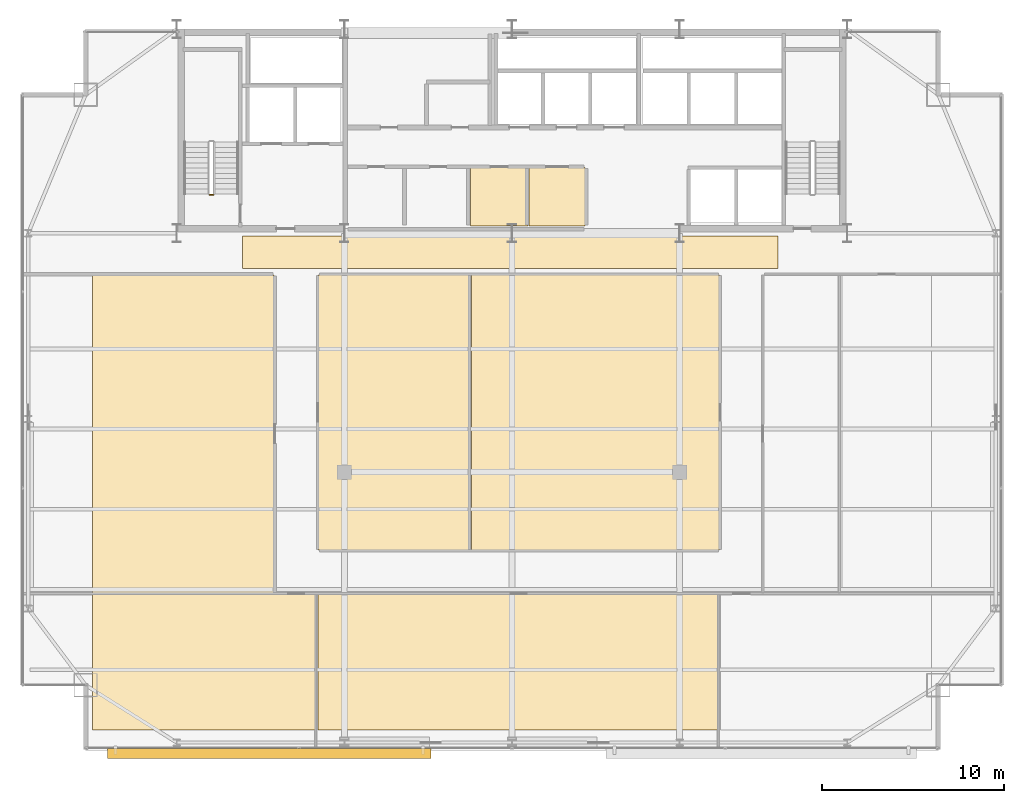
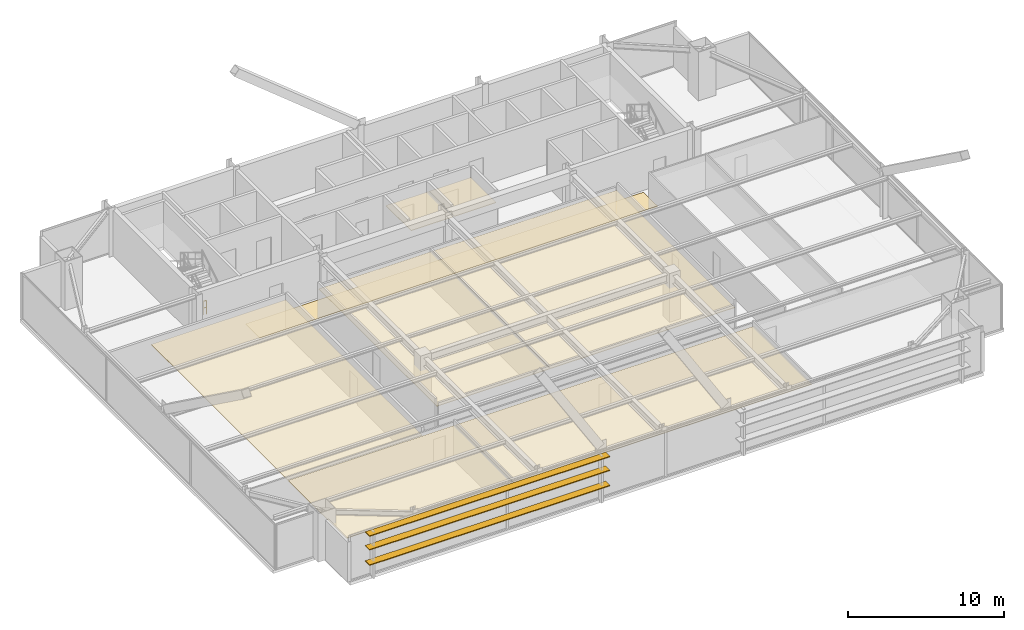
# One storey, part 29 of 30: 8 coverings, 3 shading devices, 1 railing.
"""IFC4 building model written with IfcOpenShell, lengths in metres."""

from ifc_helpers import new_model, si_unit, direction, frame, origin, origin_2d, place, context, subcontext, project, spatial, polyline, rectangle, outline, extrude, source, transform, mapped, material, layer, layer_set, type_object, type_shapes, element, save


model = new_model("IFC4")

# Units and contexts
model_context = context("Model", 3, precision=1e-05, world=origin(), true_north=direction((0.0, 1.0)))
body_context = subcontext(model_context, "Body", "Model", "MODEL_VIEW")
ifc_project = project(units=[si_unit("LENGTHUNIT", "METRE"), si_unit("AREAUNIT", "SQUARE_METRE"), si_unit("VOLUMEUNIT", "CUBIC_METRE"), si_unit("PLANEANGLEUNIT", "RADIAN"), si_unit("MASSUNIT", "GRAM", prefix="KILO")], contexts=[model_context])

# Site, building, storey
site_placement = place(None, origin())
site = spatial("IfcSite", under=ifc_project, at=site_placement, CompositionType="ELEMENT")
building_placement = place(site_placement, origin())
building = spatial("IfcBuilding", under=site, at=building_placement, Name="Varnel Quay Broadcast Tower", CompositionType="ELEMENT")
storey_placement = place(building_placement, frame((0.0, 0.0, 149.60009765625)))
storey = spatial("IfcBuildingStorey", under=building, at=storey_placement, Name="L36", CompositionType="ELEMENT", Elevation=149.60009765625)

# Coverings
ifc_material_1 = material(Name="Micro-Perforated Acoustic Ceiling Tile")
ifc_layer_1 = layer(ifc_material_1, 0.0400390625, Name="Micro-Perforated Acoustic Ceiling Tile")
ifc_layer_set_1 = layer_set([ifc_layer_1], Name="Micro-Perforated Acoustic Ceiling Tile")
covering_type_1 = type_object("IfcCoveringType", Name="Cov_AcousticCeiling", PredefinedType="CEILING", material=ifc_layer_set_1)
covering_1_placement = place(storey_placement, frame((0.0, 0.0, 2.579833984375)))
element("IfcCovering", 1, at=covering_1_placement, inside=storey, type_object=covering_type_1, Name="L36 Broadcast First-Aid & Quiet Room Acoustic Ceiling", PredefinedType="CEILING", context=body_context, shape_type="SweptSolid", body=[
    extrude(outline(polyline([(31.735107421875, 35.985107421875), (34.864990234375, 35.985107421875), (34.864990234375, 39.215087890625), (31.735107421875, 39.215087890625), (31.735107421875, 35.985107421875)])), origin(), (0.0, 0.0, 1.0), 0.0400390625),
])
covering_2_placement = place(storey_placement, frame((0.0, 0.0, 2.579833984375)))
element("IfcCovering", 2, at=covering_2_placement, inside=storey, type_object=covering_type_1, Name="L36 Zone Lighting Dimmer Room Acoustic Ceiling", PredefinedType="CEILING", context=body_context, shape_type="SweptSolid", body=[
    extrude(outline(polyline([(34.93505859375, 35.985107421875), (38.014892578125, 35.985107421875), (38.014892578125, 39.215087890625), (34.93505859375, 39.215087890625), (34.93505859375, 35.985107421875)])), origin(), (0.0, 0.0, 1.0), 0.0400390625),
])
covering_3_placement = place(storey_placement, frame((0.0, 0.0, 2.579833984375)))
element("IfcCovering", 3, at=covering_3_placement, inside=storey, type_object=covering_type_1, Name="L36 Lens & Rigging Store 1 Acoustic Ceiling", PredefinedType="CEILING", context=body_context, shape_type="SweptSolid", body=[
    extrude(outline(polyline([(10.985107421875, 8.324951171875), (23.294921875, 8.324951171875), (23.294921875, 15.784912109375), (10.985107421875, 15.784912109375), (10.985107421875, 8.324951171875)])), origin(), (0.0, 0.0, 1.0), 0.0400390625),
])
covering_4_placement = place(storey_placement, frame((0.0, 0.0, 2.579833984375)))
element("IfcCovering", 4, at=covering_4_placement, inside=storey, type_object=covering_type_1, Name="L36 Ingest Vault Store 2 Acoustic Ceiling", PredefinedType="CEILING", context=body_context, shape_type="SweptSolid", body=[
    extrude(outline(polyline([(23.364990234375, 8.324951171875), (45.385009765625, 8.324951171875), (45.385009765625, 15.784912109375), (23.364990234375, 15.784912109375), (23.364990234375, 8.324951171875)])), origin(), (0.0, 0.0, 1.0), 0.0400390625),
])
covering_5_placement = place(storey_placement, frame((0.0, 0.0, 2.579833984375)))
element("IfcCovering", 5, at=covering_5_placement, inside=storey, type_object=covering_type_1, Name="L36 Screening Meeting Room 4 Acoustic Ceiling", PredefinedType="CEILING", context=body_context, shape_type="SweptSolid", body=[
    extrude(outline(polyline([(10.985107421875, 15.85498046875), (20.945068359375, 15.85498046875), (20.945068359375, 33.31494140625), (10.985107421875, 33.31494140625), (10.985107421875, 15.85498046875)])), origin(), (0.0, 0.0, 1.0), 0.0400390625),
])
covering_6_placement = place(storey_placement, frame((0.0, 0.0, 2.579833984375)))
element("IfcCovering", 6, at=covering_6_placement, inside=storey, type_object=covering_type_1, Name="L36 Producer Lounge 5 Acoustic Ceiling", PredefinedType="CEILING", context=body_context, shape_type="SweptSolid", body=[
    extrude(outline(polyline([(23.364990234375, 18.205078125), (31.715087890625, 18.205078125), (31.715087890625, 33.31494140625), (23.364990234375, 33.31494140625), (23.364990234375, 18.205078125)])), origin(), (0.0, 0.0, 1.0), 0.0400390625),
])
covering_7_placement = place(storey_placement, frame((0.0, 0.0, 2.579833984375)))
element("IfcCovering", 7, at=covering_7_placement, inside=storey, type_object=covering_type_1, Name="L36 Tea Kitchen 6 Acoustic Ceiling", PredefinedType="CEILING", context=body_context, shape_type="SweptSolid", body=[
    extrude(outline(polyline([(31.784912109375, 18.205078125), (45.385009765625, 18.205078125), (45.385009765625, 33.31494140625), (31.784912109375, 33.31494140625), (31.784912109375, 18.205078125)])), origin(), (0.0, 0.0, 1.0), 0.0400390625),
])
ifc_material_2 = material(Name="Polished Terrazzo & Broadcast Raised Flooring")
ifc_layer_2 = layer(ifc_material_2, 0.0400390625, Name="Polished Terrazzo & Broadcast Raised Flooring")
ifc_layer_set_2 = layer_set([ifc_layer_2], Name="Polished Terrazzo & Broadcast Raised Flooring")
covering_type_2 = type_object("IfcCoveringType", Name="Cov_TerrazzoFloor", PredefinedType="FLOORING", material=ifc_layer_set_2)
covering_8_placement = place(storey_placement, origin())
element("IfcCovering", 8, at=covering_8_placement, inside=storey, type_object=covering_type_2, Name="L36 Corridor Terrazzo Flooring", PredefinedType="FLOORING", context=body_context, shape_type="SweptSolid", body=[
    extrude(outline(polyline([(19.199951171875, 33.64990234375), (48.60009765625, 33.64990234375), (48.60009765625, 35.449951171875), (19.199951171875, 35.449951171875), (19.199951171875, 33.64990234375)])), origin(), (0.0, 0.0, 1.0), 0.039794921875),
])

# Railing
ifc_material_3 = material(Name="Painted Steel Guard and Handrail CSA G40.21 350W", Category="steel")
railing_type = type_object("IfcRailingType", Name="Rail_StairGuard1100", PredefinedType="GUARDRAIL", material=ifc_material_3)
railing_placement = place(storey_placement, frame((17.60009765625, 37.699951171875, 0.0)))
element("IfcRailing", 9, at=railing_placement, inside=storey, type_object=railing_type, Name="L36 ST-01 stair guard 4", PredefinedType="GUARDRAIL", context=body_context, shape_type="SweptSolid", body=[
    extrude(rectangle(XDim=0.048095703125, YDim=0.048095703125, at=origin_2d()), frame((0.0, 0.0, 1.076171875), z_axis=(-1.0, 0.0, 0.0), x_axis=(0.0, -1.0, 0.0)), (0.0, 0.0, 1.0), 0.2001953125),
    extrude(rectangle(XDim=0.048095703125, YDim=0.048095703125, at=origin_2d()), frame((0.0, 0.0, 0.550048828125), z_axis=(-1.0, 0.0, 0.0), x_axis=(0.0, -1.0, 0.0)), (0.0, 0.0, 1.0), 0.2001953125),
    extrude(rectangle(XDim=0.0419921875, YDim=0.0419921875, at=origin_2d()), origin(), (0.0, 0.0, 1.0), 1.052001953125),
    extrude(rectangle(XDim=0.0419921875, YDim=0.0419921875, at=origin_2d()), frame((-0.2001953125, 0.0, 0.0)), (0.0, 0.0, 1.0), 1.052001953125),
])

# Shading devices
ifc_material_4 = material(Name="Bronze-Terracotta Extruded Ceramic Blade", Category="masonry")
ifc_layer_3 = layer(ifc_material_4, 0.06494140625, Name="Bronze-Terracotta Extruded Ceramic Blade")
ifc_layer_set_3 = layer_set([ifc_layer_3], Name="Bronze-Terracotta Extruded Ceramic Blade")
shading_device_type = type_object("IfcShadingDeviceType", Name="Shade_LouvreBlade550", PredefinedType="JALOUSIE", material=ifc_layer_set_3)
shared_shape = source(origin(), body_context, "Body", "SweptSolid", [
    extrude(rectangle(XDim=17.76611328125, YDim=0.550048828125, at=origin_2d()), origin(), (0.0, 0.0, 1.0), 0.06494140625),
])
type_shapes(shading_device_type, [shared_shape])
for number, where, z_axis, x_axis, name in (
    (10, (20.68310546875, 7.06005859375, 1.117431640625), (0.0, 0.0, 1.0), (1.0, 0.0, 0.0), "L36 Lobe 1 Horizontal Louvre Blade 1"),
    (11, (20.68310546875, 7.06005859375, 2.3173828125), (0.0, 0.0, 1.0), (1.0, 0.0, 0.0), "L36 Lobe 1 Horizontal Louvre Blade 2"),
    (12, (20.68310546875, 7.06005859375, 3.387451171875), (0.0, 0.0, 1.0), (1.0, 0.0, 0.0), "L36 Lobe 1 Horizontal Louvre Blade 3"),
):
    element("IfcShadingDevice", number, at=place(storey_placement, frame(where, z_axis=z_axis, x_axis=x_axis)), inside=storey, type_object=shading_device_type, Name=name, PredefinedType="JALOUSIE", context=body_context, shape_type="MappedRepresentation", body=[
        mapped(shared_shape, transform((0.0, 0.0, 0.0), x_axis=(1.0, 0.0, 0.0), y_axis=(0.0, 1.0, 0.0), z_axis=(0.0, 0.0, 1.0), scale=1.0)),
    ])

save(model, "model.ifc")
